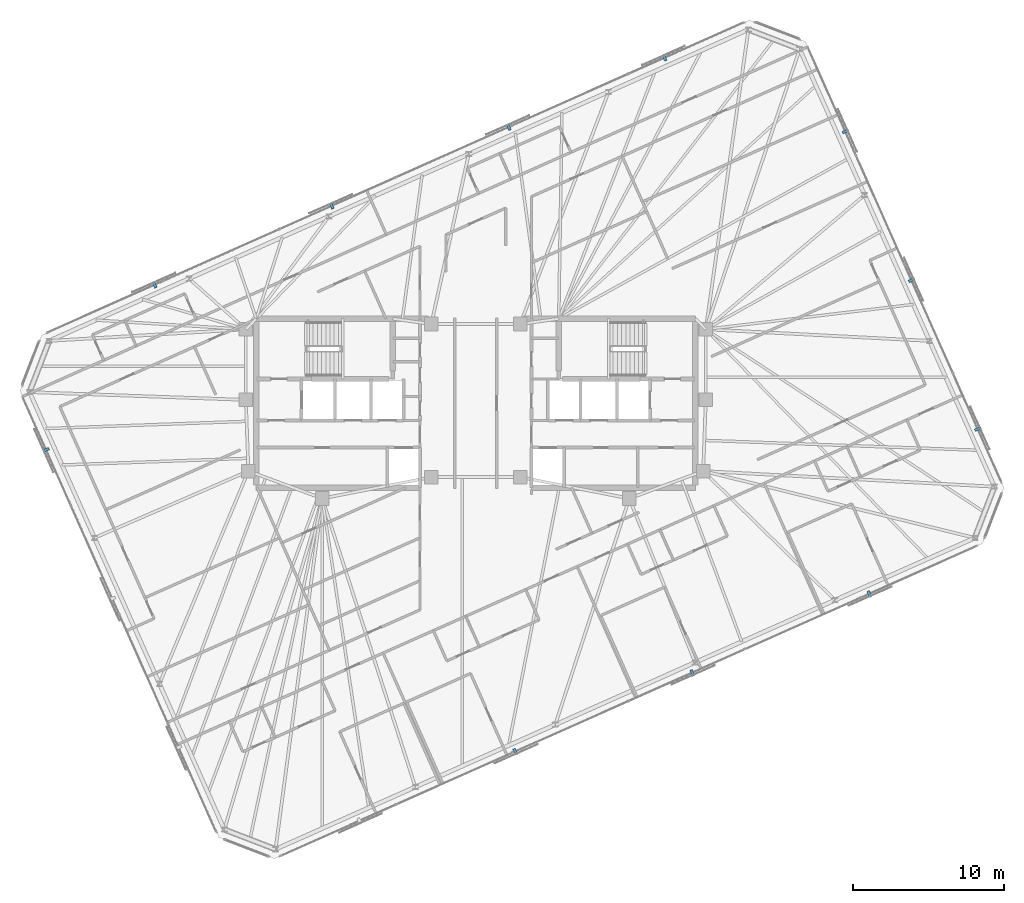
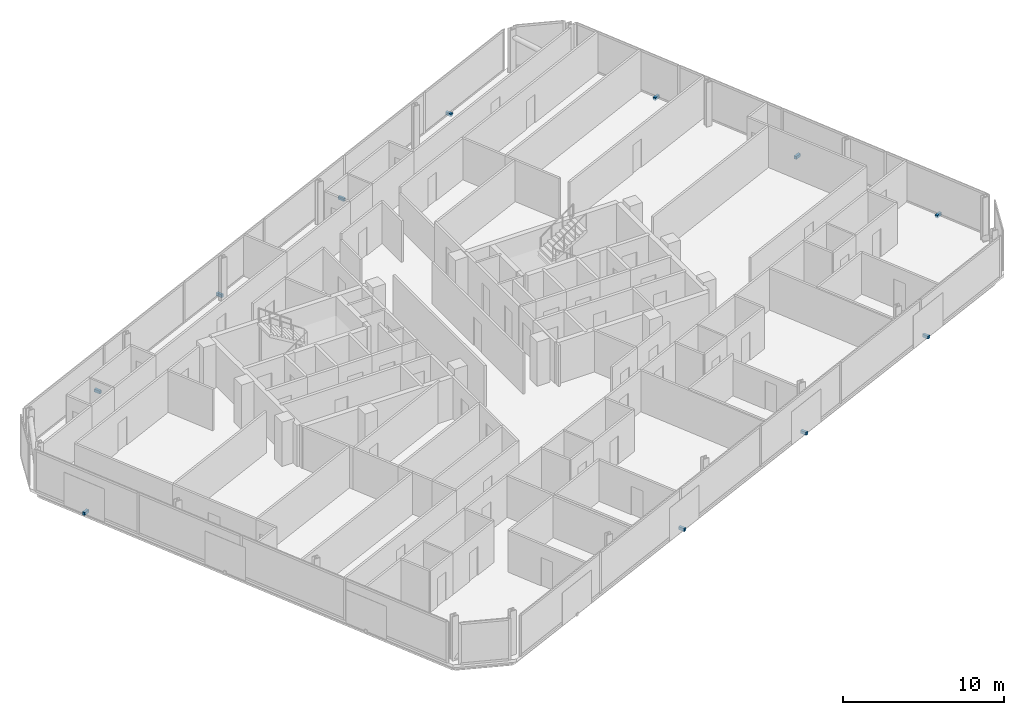
# One storey, part 18 of 19: 11 discrete accessories.
"""IFC4 building model written with IfcOpenShell, lengths in metres."""

import ifcopenshell
import ifcopenshell.guid

model = None  # the IFC model being written
_history = None  # IfcOwnerHistory: only IFC2X3 demands one
_inside = {}  # id of a spatial element -> (the spatial element, [elements in it])
_under = {}  # id of a project, library or spatial element -> (it, [spatial elements below it])
_declared = {}  # id of a project -> (the project, [libraries it declares])
_typed = {}  # id of a type object -> (the type object, [elements of that type])
_made_of = {}  # id of a material, layer set ... -> (it, [elements and type objects made of it])


def new_model(schema):
    """Start an empty IFC model of exactly this schema.

    Asked for "IFC4X3", IfcOpenShell would pick the latest addendum, in which some entities
    have other attributes; the version numbers below select the first issue.
    IFC2X3 requires an IfcOwnerHistory on every rooted entity: one is made here for all.
    """
    global model, _history
    if schema == "IFC4X3":
        model = ifcopenshell.file(schema_version=(4, 3, 0, 0))
    else:
        model = ifcopenshell.file(schema=schema)
    _inside.clear()
    _under.clear()
    _declared.clear()
    _typed.clear()
    _made_of.clear()
    _history = None
    if model.schema == "IFC2X3":
        org = make("IfcOrganization", Name="unknown")
        user = make(
            "IfcPersonAndOrganization",
            ThePerson=make("IfcPerson", FamilyName="unknown"),
            TheOrganization=org,
        )
        app = make(
            "IfcApplication",
            ApplicationDeveloper=org,
            Version="unknown",
            ApplicationFullName="unknown",
            ApplicationIdentifier="unknown",
        )
        _history = make(
            "IfcOwnerHistory",
            OwningUser=user,
            OwningApplication=app,
            ChangeAction="ADDED",
            CreationDate=0,
        )
    return model


def make(cls, **values):
    """One entity of the class cls with the attributes given. An attribute that is None is left unset."""
    return model.create_entity(
        cls, **{name: value for name, value in values.items() if value is not None}
    )


def rooted(cls, **values):
    """An entity with a GlobalId (a new one), such as an element, a storey or a relation."""
    return make(cls, GlobalId=ifcopenshell.guid.new(), OwnerHistory=_history, **values)


def si_unit(unit_type, name, prefix=None):
    """IfcSIUnit, for example si_unit("LENGTHUNIT", "METRE", prefix="MILLI")."""
    return make("IfcSIUnit", UnitType=unit_type, Prefix=prefix, Name=name)


def assignment(units):
    """IfcUnitAssignment: the units of a project."""
    return None if units is None else make("IfcUnitAssignment", Units=units)


def point(xyz):
    """IfcCartesianPoint."""
    return None if xyz is None else make("IfcCartesianPoint", Coordinates=xyz)


def direction(xyz):
    """IfcDirection."""
    return None if xyz is None else make("IfcDirection", DirectionRatios=xyz)


def frame(location, z_axis=None, x_axis=None):
    """IfcAxis2Placement3D, a coordinate frame: its origin and axes. An axis left out is left unset."""
    return make(
        "IfcAxis2Placement3D",
        Location=point(location),
        Axis=direction(z_axis),
        RefDirection=direction(x_axis),
    )


def frame_2d(location, x_axis=None):
    """IfcAxis2Placement2D, a coordinate frame in the plane: its origin and x axis."""
    return make(
        "IfcAxis2Placement2D", Location=point(location), RefDirection=direction(x_axis)
    )


def origin():
    """The frame at (0, 0, 0) with its axes left unset."""
    return frame((0.0, 0.0, 0.0))


def origin_2d():
    """The frame at (0, 0) in the plane with its x axis left unset."""
    return frame_2d((0.0, 0.0))


def place(relative_to, where):
    """IfcLocalPlacement: puts the frame where relative to a parent placement (None: the world)."""
    return make(
        "IfcLocalPlacement", PlacementRelTo=relative_to, RelativePlacement=where
    )


def context(
    kind, dimensions, precision=None, world=None, true_north=None, identifier=None
):
    """IfcGeometricRepresentationContext, for example the 3D "Model" context."""
    return make(
        "IfcGeometricRepresentationContext",
        ContextIdentifier=identifier,
        ContextType=kind,
        CoordinateSpaceDimension=dimensions,
        Precision=precision,
        WorldCoordinateSystem=world,
        TrueNorth=true_north,
    )


def subcontext(parent, identifier, kind, view, scale=None):
    """IfcGeometricRepresentationSubContext, for example "Body" below "Model"."""
    return make(
        "IfcGeometricRepresentationSubContext",
        ContextIdentifier=identifier,
        ContextType=kind,
        ParentContext=parent,
        TargetScale=scale,
        TargetView=view,
    )


def project(units=None, contexts=None):
    """IfcProject with its units and contexts."""
    return rooted(
        "IfcProject",
        Name="project",
        RepresentationContexts=contexts,
        UnitsInContext=assignment(units),
    )


def spatial(cls, under=None, at=None, **own):
    """A site, building, storey or space (cls), placed at a placement, below another one or the project."""
    s = rooted(cls, ObjectPlacement=at, **own)
    if under is not None:
        _under.setdefault(under.id(), (under, []))[1].append(s)
    return s


def profile(cls, at=None, kind="AREA", **sizes):
    """A parametric profile (cls). Its sizes go by their IFC names, for example OverallWidth=200.0."""
    return make(cls, ProfileType=kind, Position=at, **sizes)


def rectangle(**sizes):
    """IfcRectangleProfileDef."""
    return profile("IfcRectangleProfileDef", **sizes)


def extrude(swept, where, along, depth):
    """IfcExtrudedAreaSolid: the profile swept, set in the frame where, extruded along a direction by depth."""
    return make(
        "IfcExtrudedAreaSolid",
        SweptArea=swept,
        Position=where,
        ExtrudedDirection=direction(along),
        Depth=depth,
    )


def shape(context_of_items, identifier, shape_type, items):
    """IfcShapeRepresentation: the items that make up one representation, for example the "Body"."""
    return make(
        "IfcShapeRepresentation",
        ContextOfItems=context_of_items,
        RepresentationIdentifier=identifier,
        RepresentationType=shape_type,
        Items=items,
    )


def material(Name=None, Category=None):
    """IfcMaterial."""
    return make("IfcMaterial", Name=Name, Category=Category)


def made_of(thing, what):
    """Note that an element or type object is made of a material, layer set ...; save() writes the relation."""
    if what is not None:
        _made_of.setdefault(what.id(), (what, []))[1].append(thing)
    return thing


def type_object(cls, material=None, **own):
    """A type object (cls), such as IfcWallType, which elements share."""
    return made_of(rooted(cls, **own), material)


def element(
    cls,
    number,
    at=None,
    inside=None,
    cuts=None,
    type_object=None,
    material=None,
    context=None,
    identifier="Body",
    shape_type=None,
    held_by="IfcProductDefinitionShape",
    body=None,
    shapes=None,
    **own,
):
    """One element of the class cls, such as IfcWall. Its Tag is "e" and its number.

    at: its placement. inside: the storey or other place that contains it. cuts: it is an
    opening in that element (IfcRelVoidsElement). A single representation is given by context,
    identifier, shape_type and body (its items); several are given by shapes. held_by: the class
    of the entity that holds the representations. save() writes the other relations.
    """
    e = rooted(cls, Tag="e%d" % number, ObjectPlacement=at, **own)
    if body is not None:
        shapes = [shape(context, identifier, shape_type, body)]
    if shapes is not None:
        e.Representation = make(held_by, Representations=shapes)
    if inside is not None:
        _inside.setdefault(inside.id(), (inside, []))[1].append(e)
    if cuts is not None:
        rooted(
            "IfcRelVoidsElement", RelatingBuildingElement=cuts, RelatedOpeningElement=e
        )
    if type_object is not None:
        _typed.setdefault(type_object.id(), (type_object, []))[1].append(e)
    return made_of(e, material)


def aggregate(whole, parts):
    """IfcRelAggregates: a whole, such as a stair, and the parts it consists of."""
    return rooted("IfcRelAggregates", RelatingObject=whole, RelatedObjects=parts)


def save(model, path):
    """Write the relations noted so far, then the file.

    IfcRelAggregates (storeys below a building ...), IfcRelContainedInSpatialStructure (elements
    in a storey), IfcRelDefinesByType, IfcRelAssociatesMaterial and IfcRelDeclares: one each for
    every whole, place, type object, material and project.
    """
    for whole, parts in _under.values():
        aggregate(whole, parts)
    for where, things in _inside.values():
        rooted(
            "IfcRelContainedInSpatialStructure",
            RelatedElements=things,
            RelatingStructure=where,
        )
    for kind, things in _typed.values():
        rooted("IfcRelDefinesByType", RelatedObjects=things, RelatingType=kind)
    for what, things in _made_of.values():
        rooted("IfcRelAssociatesMaterial", RelatedObjects=things, RelatingMaterial=what)
    for by, libraries in _declared.values():
        rooted("IfcRelDeclares", RelatingContext=by, RelatedDefinitions=libraries)
    model.write(path)


model = new_model("IFC4")

# Units and contexts
model_context = context("Model", 3, precision=1e-05, world=origin(), true_north=direction((0.0, 1.0)))
body_context = subcontext(model_context, "Body", "Model", "MODEL_VIEW")
ifc_project = project(units=[si_unit("LENGTHUNIT", "METRE"), si_unit("AREAUNIT", "SQUARE_METRE"), si_unit("VOLUMEUNIT", "CUBIC_METRE"), si_unit("PLANEANGLEUNIT", "RADIAN"), si_unit("MASSUNIT", "GRAM", prefix="KILO")], contexts=[model_context])

# Site, building, storey
site_placement = place(None, origin())
site = spatial("IfcSite", under=ifc_project, at=site_placement, CompositionType="ELEMENT")
building_placement = place(site_placement, origin())
building = spatial("IfcBuilding", under=site, at=building_placement, Name="Menara Jurai Vektor", CompositionType="ELEMENT")
storey_placement = place(building_placement, frame((0.0, 0.0, 268.89990234375)))
storey = spatial("IfcBuildingStorey", under=building, at=storey_placement, Name="L72", CompositionType="ELEMENT", Elevation=268.89990234375)

# Discrete accessories
ifc_material = material(Name="Steel S355", Category="steel")
discrete_accessory_type = type_object("IfcDiscreteAccessoryType", Name="ENV-ACC-BRACKET", PredefinedType="BRACKET", material=ifc_material)
for number, where, z_axis, x_axis, name in (
    (1, (2.619140625, -23.111572265625, -0.1298828125), (0.0, 0.0, 1.0), (0.913545457643, 0.406736643076, 0.0), "Solar Screen Stand-Off Bracket L72-S02"),
    (2, (14.358154296875, -17.885009765625, -0.1298828125), (0.0, 0.0, 1.0), (0.913545457643, 0.406736643076, 0.0), "Solar Screen Stand-Off Bracket L72-S03"),
    (3, (26.09716796875, -12.658203125, -0.1298828125), (0.0, 0.0, 1.0), (0.913545457643, 0.406736643076, 0.0), "Solar Screen Stand-Off Bracket L72-S04"),
    (4, (33.29931640625, -1.706298828125, -0.1298828125), (0.0, 0.0, 1.0), (-0.406736643076, 0.913545457643, 0.0), "Solar Screen Stand-Off Bracket L72-S05"),
    (5, (28.906494140625, 8.16015625, -0.1298828125), (0.0, 0.0, 1.0), (-0.406736643076, 0.913545457643, 0.0), "Solar Screen Stand-Off Bracket L72-S06"),
    (6, (24.513671875, 18.0263671875, -0.1298828125), (0.0, 0.0, 1.0), (-0.406736643076, 0.913545457643, 0.0), "Solar Screen Stand-Off Bracket L72-S07"),
    (7, (12.51123046875, 22.910888671875, -0.1298828125), (0.0, 0.0, 1.0), (-0.913545457643, -0.406736643076, 0.0), "Solar Screen Stand-Off Bracket L72-S08"),
    (8, (2.180908203125, 18.3115234375, -0.1298828125), (0.0, 0.0, 1.0), (-0.913545457643, -0.406736643076, 0.0), "Solar Screen Stand-Off Bracket L72-S09"),
    (9, (-9.55810546875, 13.0849609375, -0.1298828125), (0.0, 0.0, 1.0), (-0.913545457643, -0.406736643076, 0.0), "Solar Screen Stand-Off Bracket L72-S10"),
    (10, (-21.297119140625, 7.8583984375, -0.1298828125), (0.0, 0.0, 1.0), (-0.913545457643, -0.406736643076, 0.0), "Solar Screen Stand-Off Bracket L72-S11"),
    (11, (-28.499267578125, -3.09375, -0.1298828125), (0.0, 0.0, 1.0), (0.406736643076, -0.913545457643, 0.0), "Solar Screen Stand-Off Bracket L72-S12"),
):
    element("IfcDiscreteAccessory", number, at=place(storey_placement, frame(where, z_axis=z_axis, x_axis=x_axis)), inside=storey, type_object=discrete_accessory_type, Name=name, PredefinedType="BRACKET", context=body_context, shape_type="SweptSolid", body=[
        extrude(rectangle(XDim=0.179931640625, YDim=0.43994140625, at=origin_2d()), origin(), (0.0, 0.0, 1.0), 0.219970703125),
    ])

save(model, "model.ifc")
